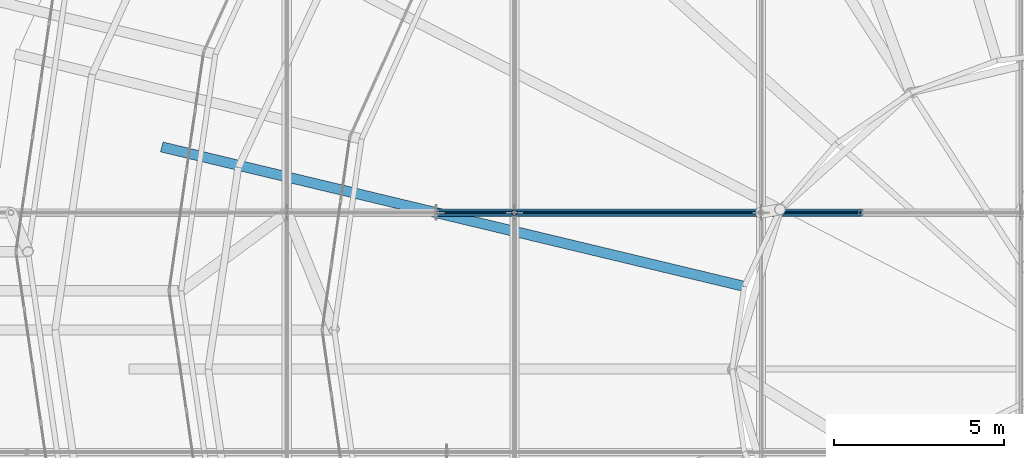
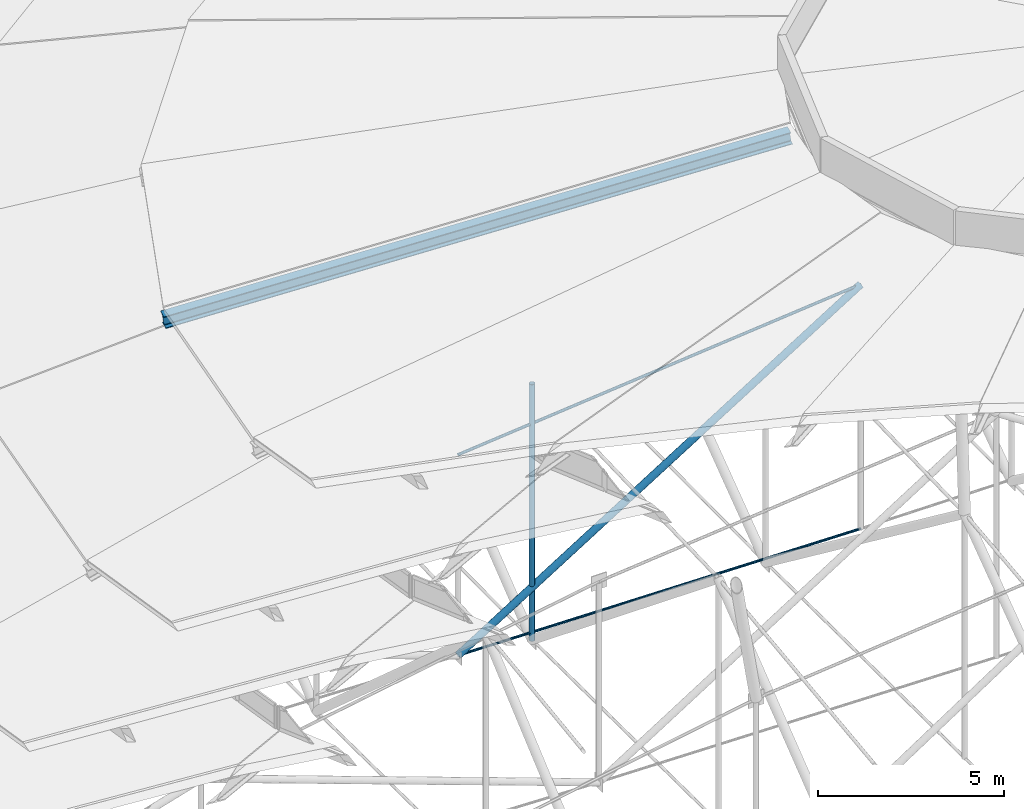
# One storey, part 41 of 173: 5 members.
"""IFC4 building model written with IfcOpenShell, lengths in metres."""

from ifc_helpers import new_model, si_unit, direction, frame, origin, origin_2d, place, context, subcontext, project, spatial, circle, hollow_circle, i_section, extrude, material, material_profile, profile_set, type_object, element, save


model = new_model("IFC4")

# Units and contexts
model_context = context("Model", 3, precision=1e-05, world=origin(), true_north=direction((0.0, 1.0)))
body_context = subcontext(model_context, "Body", "Model", "MODEL_VIEW")
ifc_project = project(units=[si_unit("LENGTHUNIT", "METRE"), si_unit("AREAUNIT", "SQUARE_METRE"), si_unit("VOLUMEUNIT", "CUBIC_METRE"), si_unit("PLANEANGLEUNIT", "RADIAN"), si_unit("MASSUNIT", "GRAM", prefix="KILO")], contexts=[model_context])

# Site, building, storey
site_placement = place(None, origin())
site = spatial("IfcSite", under=ifc_project, at=site_placement, CompositionType="ELEMENT")
building_placement = place(site_placement, origin())
building = spatial("IfcBuilding", under=site, at=building_placement, Name="Glasvene Arena", CompositionType="ELEMENT")
storey_placement = place(building_placement, frame((0.0, 0.0, 28.800048828125)))
storey = spatial("IfcBuildingStorey", under=building, at=storey_placement, Name="RF", CompositionType="ELEMENT", Elevation=28.800048828125)

# Members
ifc_material_1 = material(Name="High-strength steel spiral strand S460", Category="steel")
ifc_material_profile_1 = material_profile(ifc_material_1, circle(Radius=0.03759765625, at=origin_2d()), Name="LCSS D75")
ifc_profile_set_1 = profile_set([ifc_material_profile_1], Name="High-strength steel spiral strand S460")
member_type_1 = type_object("IfcMemberType", Name="MB-CABLE-75", PredefinedType="USERDEFINED", material=ifc_profile_set_1)
member_1_placement = place(storey_placement, frame((67.0, 73.0, -2.112548828125), z_axis=(0.999851319291, 0.0, -0.017243529589), x_axis=(0.0, 1.0, 0.0)))
element("IfcMember", 1, at=member_1_placement, inside=storey, type_object=member_type_1, Name="Lower stabilization roof cable EW04-03", ObjectType="ROOF CABLE", PredefinedType="USERDEFINED", context=body_context, shape_type="SweptSolid", body=[
    extrude(circle(Radius=0.03759765625, at=origin_2d()), origin(), (0.0, 0.0, 1.0), 12.501953125),
])
ifc_material_profile_2 = material_profile(ifc_material_1, circle(Radius=0.044921875, at=origin_2d()), Name="LCSS D90")
ifc_profile_set_2 = profile_set([ifc_material_profile_2], Name="High-strength steel spiral strand S460")
member_type_2 = type_object("IfcMemberType", Name="MB-CABLE-90", PredefinedType="USERDEFINED", material=ifc_profile_set_2)
member_2_placement = place(storey_placement, frame((67.0, 73.0, 4.472900390625), z_axis=(0.995289879792, 0.0, 0.096943567002), x_axis=(0.0, 1.0, 0.0)))
element("IfcMember", 2, at=member_2_placement, inside=storey, type_object=member_type_2, Name="Upper lens roof cable EW04-03", ObjectType="ROOF CABLE", PredefinedType="USERDEFINED", context=body_context, shape_type="SweptSolid", body=[
    extrude(circle(Radius=0.044921875, at=origin_2d()), origin(), (0.0, 0.0, 1.0), 12.55908203125),
])
ifc_material_2 = material(Name="Steel S355J2", Category="steel")
ifc_material_profile_3 = material_profile(ifc_material_2, i_section(OverallWidth=0.300048828125, OverallDepth=0.39990234375, WebThickness=0.013427734375, FlangeThickness=0.02392578125, FilletRadius=0.027099609375, at=origin_2d()), Name="HEB 400")
ifc_profile_set_3 = profile_set([ifc_material_profile_3], Name="Steel S355J2")
member_type_3 = type_object("IfcMemberType", Name="MB-CHORD-HEB400", PredefinedType="CHORD", material=ifc_profile_set_3)
member_3_placement = place(storey_placement, frame((58.9609375, 74.922119140625, 10.550048828125), z_axis=(0.962442673629, -0.230437051917, 0.143536981584), x_axis=(0.232848205807, 0.972513091456, 0.0)))
element("IfcMember", 3, at=member_3_placement, inside=storey, type_object=member_type_3, Name="Petal ring 5 radial rib 12", PredefinedType="CHORD", context=body_context, shape_type="SweptSolid", body=[
    extrude(i_section(OverallWidth=0.300048828125, OverallDepth=0.39990234375, WebThickness=0.013427734375, FlangeThickness=0.02392578125, FilletRadius=0.027099609375, at=origin_2d()), origin(), (0.0, 0.0, 1.0), 17.76416015625),
])
ifc_material_profile_4 = material_profile(ifc_material_2, hollow_circle(Radius=0.084228515625, WallThickness=0.008056640625, at=origin_2d()), Name="CHS 168.3x8.0")
ifc_profile_set_4 = profile_set([ifc_material_profile_4], Name="Steel S355J2")
member_type_4 = type_object("IfcMemberType", Name="MB-WEB-CHS168", PredefinedType="BRACE", material=ifc_profile_set_4)
member_4_placement = place(storey_placement, frame((69.300537109375, 73.0, -2.400146484375), z_axis=(0.0, 0.0, 1.0), x_axis=(1.0, 0.0, 0.0)))
element("IfcMember", 4, at=member_4_placement, inside=storey, type_object=member_type_4, Name="Cable-truss vertical strut NS08-04", PredefinedType="BRACE", context=body_context, shape_type="SweptSolid", body=[
    extrude(hollow_circle(Radius=0.084228515625, WallThickness=0.008056640625, at=origin_2d()), origin(), (0.0, 0.0, 1.0), 8.420166015625),
])
ifc_material_profile_5 = material_profile(ifc_material_2, hollow_circle(Radius=0.109619140625, WallThickness=0.010009765625, at=origin_2d()), Name="CHS 219.1x10.0")
ifc_profile_set_5 = profile_set([ifc_material_profile_5], Name="Steel S355J2")
member_type_5 = type_object("IfcMemberType", Name="MB-WEB-CHS219", PredefinedType="BRACE", material=ifc_profile_set_5)
member_5_placement = place(storey_placement, frame((67.0, 73.0, -2.112548828125), z_axis=(0.848288584489, 0.0, 0.529534207985), x_axis=(0.0, 1.0, 0.0)))
element("IfcMember", 5, at=member_5_placement, inside=storey, type_object=member_type_5, Name="Cable-truss diagonal web strut EW04-03", PredefinedType="BRACE", context=body_context, shape_type="SweptSolid", body=[
    extrude(hollow_circle(Radius=0.109619140625, WallThickness=0.010009765625, at=origin_2d()), origin(), (0.0, 0.0, 1.0), 14.735595703125),
])

save(model, "model.ifc")
